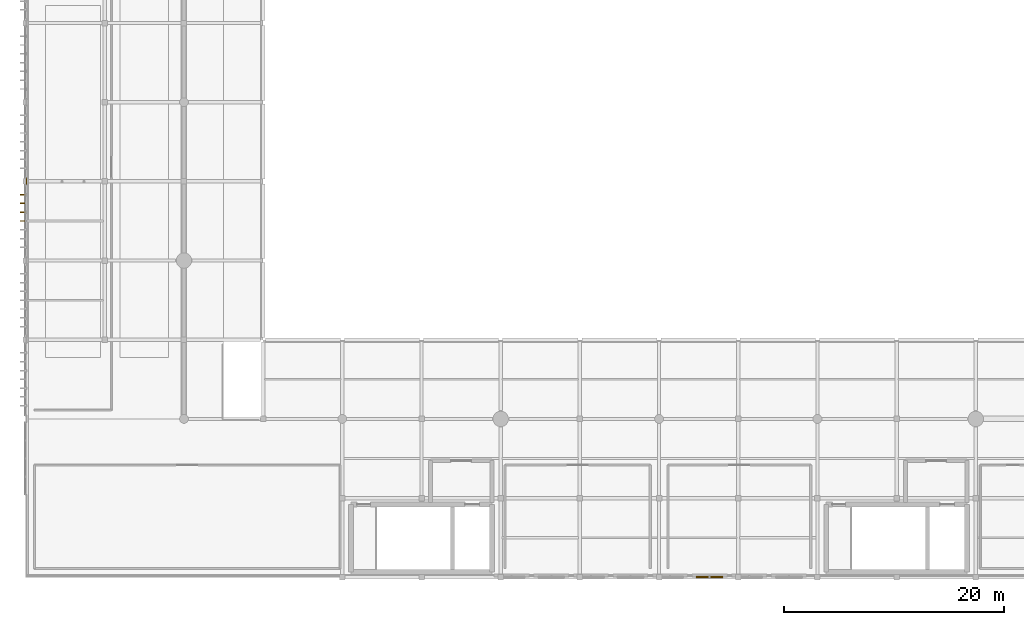
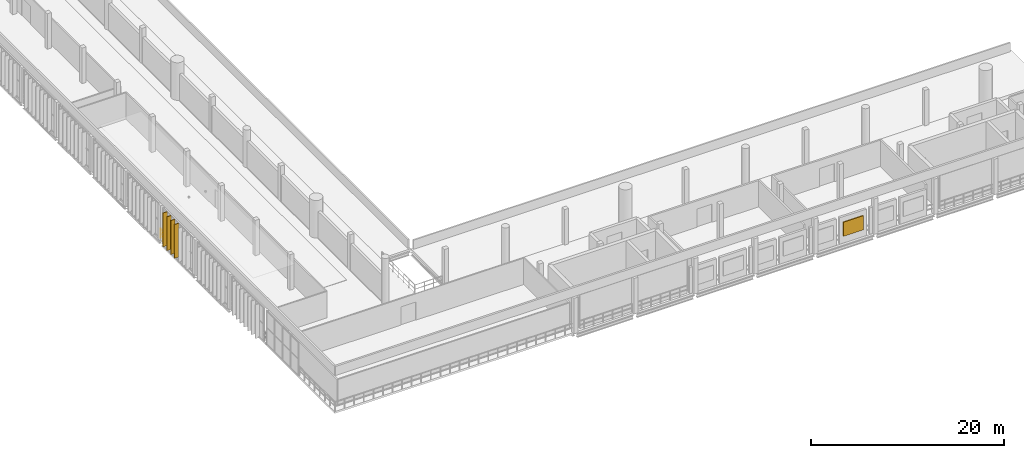
# One storey, part 58 of 64: 4 coverings, 3 shading devices, 1 railing.
"""IFC4 building model written with IfcOpenShell, lengths in metres."""

from ifc_helpers import new_model, si_unit, direction, frame, origin, origin_2d, place, context, subcontext, project, spatial, rectangle, circle, extrude, material, layer, layer_set, type_object, element, save


model = new_model("IFC4")

# Units and contexts
model_context = context("Model", 3, precision=1e-05, world=origin(), true_north=direction((0.0, 1.0)))
body_context = subcontext(model_context, "Body", "Model", "MODEL_VIEW")
ifc_project = project(units=[si_unit("LENGTHUNIT", "METRE"), si_unit("AREAUNIT", "SQUARE_METRE"), si_unit("VOLUMEUNIT", "CUBIC_METRE"), si_unit("PLANEANGLEUNIT", "RADIAN"), si_unit("MASSUNIT", "GRAM", prefix="KILO")], contexts=[model_context])

# Site, building, storey
site_placement = place(None, origin())
site = spatial("IfcSite", under=ifc_project, at=site_placement, CompositionType="ELEMENT")
building_placement = place(site_placement, origin())
building = spatial("IfcBuilding", under=site, at=building_placement, Name="Qandorah Velis Arena", CompositionType="ELEMENT")
storey_placement = place(building_placement, frame((0.0, 0.0, 23.0)))
storey = spatial("IfcBuildingStorey", under=building, at=storey_placement, Name="L05", CompositionType="ELEMENT", Elevation=23.0)

# Coverings
ifc_material_1 = material(Name="Champagne-bronze anodized aluminium 6063-T6", Category="aluminium")
ifc_layer_1 = layer(ifc_material_1, 0.0849609375)
ifc_layer_set_1 = layer_set([ifc_layer_1], Name="Champagne-bronze anodized aluminium 6063-T6")
covering_type = type_object("IfcCoveringType", Name="ARC-COV-FIN520", PredefinedType="CLADDING", material=ifc_layer_set_1)
for number, where, z_axis, x_axis, name in (
    (1, (-0.251953125, 32.39990234375, -0.01025390625), (0.0, 0.0, 1.0), (1.0, 0.0, 0.0), "Vertical champagne-bronze solar fin blade WNG-W-L05-04-004"),
    (2, (-0.251953125, 33.199951171875, -0.01025390625), (0.0, 0.0, 1.0), (1.0, 0.0, 0.0), "Vertical champagne-bronze solar fin blade WNG-W-L05-04-005"),
    (3, (-0.251953125, 34.0, -0.01025390625), (0.0, 0.0, 1.0), (1.0, 0.0, 0.0), "Vertical champagne-bronze solar fin blade WNG-W-L05-04-006"),
    (4, (-0.251953125, 34.800048828125, -0.01025390625), (0.0, 0.0, 1.0), (1.0, 0.0, 0.0), "Vertical champagne-bronze solar fin blade WNG-W-L05-04-007"),
):
    element("IfcCovering", number, at=place(storey_placement, frame(where, z_axis=z_axis, x_axis=x_axis)), inside=storey, type_object=covering_type, Name=name, PredefinedType="CLADDING", context=body_context, shape_type="SweptSolid", body=[
        extrude(rectangle(XDim=0.52001953125, YDim=0.0849609375, at=origin_2d()), origin(), (0.0, 0.0, 1.0), 4.300048828125),
    ])

# Railing
ifc_material_2 = material(Name="Stainless steel 316", Category="steel")
railing_type = type_object("IfcRailingType", Name="ARC-RL-GRD1150", PredefinedType="GUARDRAIL", material=ifc_material_2)
railing_placement = place(storey_placement, frame((0.10009765625, 35.699951171875, 0.0)))
element("IfcRailing", 5, at=railing_placement, inside=storey, type_object=railing_type, Name="Slab edge safety guardrail L05-250", PredefinedType="GUARDRAIL", context=body_context, shape_type="SweptSolid", body=[
    extrude(circle(Radius=0.02392578125, at=origin_2d()), frame((0.0, 0.0, 1.1259765625), z_axis=(0.0, 1.0, 0.0), x_axis=(-1.0, 0.0, 0.0)), (0.0, 0.0, 1.0), 0.60009765625),
    extrude(circle(Radius=0.02392578125, at=origin_2d()), frame((0.0, 0.0, 0.597900390625), z_axis=(0.0, 1.0, 0.0), x_axis=(-1.0, 0.0, 0.0)), (0.0, 0.0, 1.0), 0.60009765625),
    extrude(circle(Radius=0.02099609375, at=origin_2d()), origin(), (0.0, 0.0, 1.0), 1.101806640625),
    extrude(circle(Radius=0.02099609375, at=origin_2d()), frame((0.0, 0.60009765625, 0.0)), (0.0, 0.0, 1.0), 1.101806640625),
])

# Shading devices
shading_device_type_1 = type_object("IfcShadingDeviceType", Name="ARC-SHD-FIN520", PredefinedType="USERDEFINED", material=ifc_material_1)
for number, where, z_axis, x_axis, name in (
    (6, (-0.251953125, 33.199951171875, -0.01025390625), (0.0, 0.0, 1.0), (1.0, 0.0, 0.0), "Vertical aerofoil solar fin SF-0181"),
    (7, (-0.251953125, 34.800048828125, -0.01025390625), (0.0, 0.0, 1.0), (1.0, 0.0, 0.0), "Vertical aerofoil solar fin SF-0182"),
):
    element("IfcShadingDevice", number, at=place(storey_placement, frame(where, z_axis=z_axis, x_axis=x_axis)), inside=storey, type_object=shading_device_type_1, Name=name, ObjectType="SOLAR FIN", PredefinedType="USERDEFINED", context=body_context, shape_type="SweptSolid", body=[
        extrude(rectangle(XDim=0.52001953125, YDim=0.0849609375, at=origin_2d()), origin(), (0.0, 0.0, 1.0), 4.300048828125),
    ])
ifc_layer_2 = layer(ifc_material_1, 0.14990234375)
ifc_layer_set_2 = layer_set([ifc_layer_2], Name="Champagne-bronze anodized aluminium 6063-T6")
shading_device_type_2 = type_object("IfcShadingDeviceType", Name="ARC-SHD-LVR150", PredefinedType="JALOUSIE", material=ifc_layer_set_2)
shading_device_placement = place(storey_placement, frame((62.199951171875, 0.02001953125, 0.89990234375), z_axis=(0.0, 0.0, 1.0), x_axis=(1.0, 0.0, 0.0)))
element("IfcShadingDevice", 8, at=shading_device_placement, inside=storey, type_object=shading_device_type_2, Name="Smoke-extract intake acoustic louvre ALV-06", PredefinedType="JALOUSIE", context=body_context, shape_type="SweptSolid", body=[
    extrude(rectangle(XDim=2.39990234375, YDim=0.14990234375, at=origin_2d()), origin(), (0.0, 0.0, 1.0), 1.800048828125),
])

save(model, "model.ifc")
